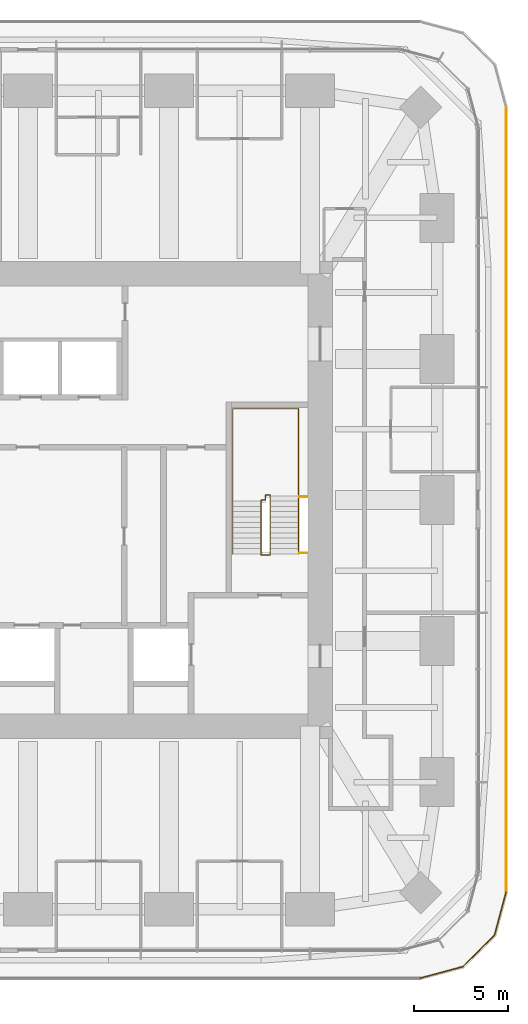
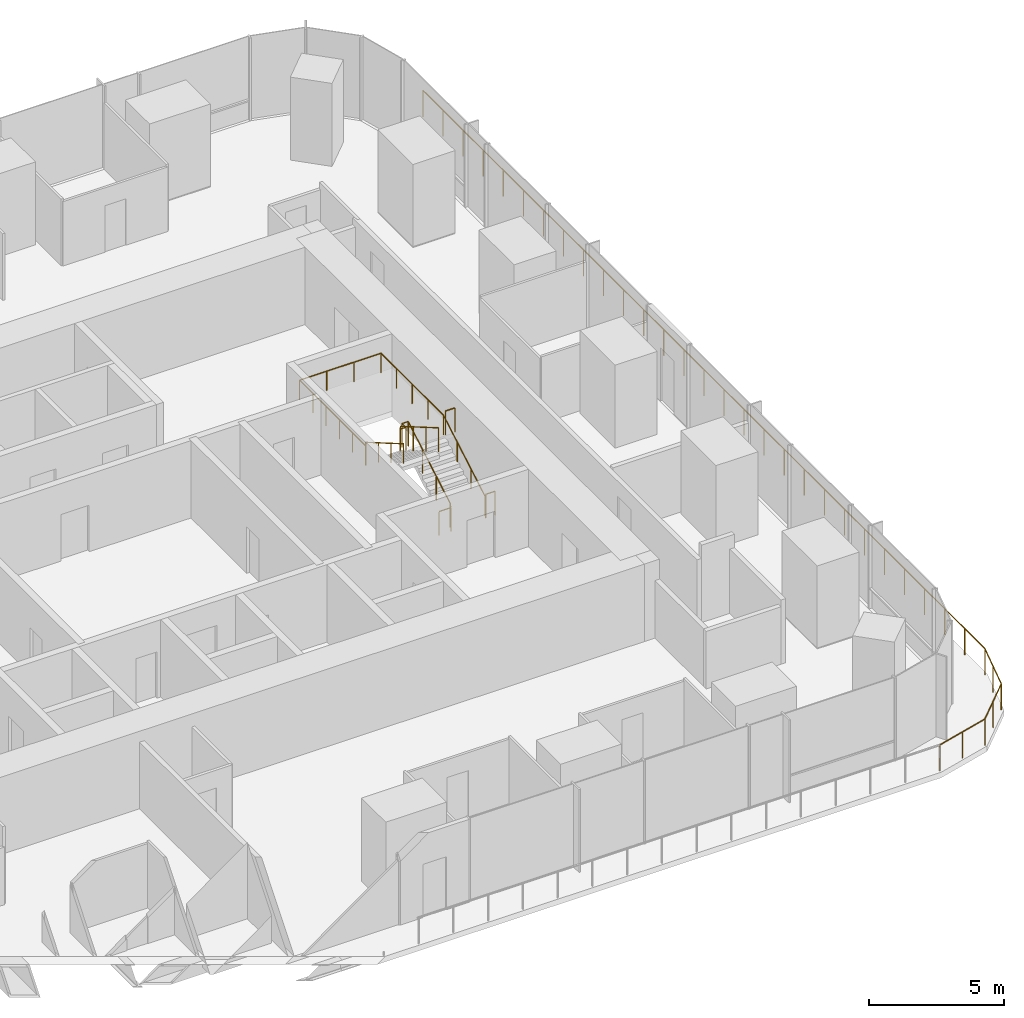
# One storey, part 14 of 15: 6 railings.
"""IFC4 building model written with IfcOpenShell, lengths in metres."""

from ifc_helpers import new_model, si_unit, direction, frame, origin, origin_2d, place, context, subcontext, project, spatial, circle, extrude, material, type_object, element, save


model = new_model("IFC4")

# Units and contexts
model_context = context("Model", 3, precision=1e-05, world=origin(), true_north=direction((0.0, 1.0)))
body_context = subcontext(model_context, "Body", "Model", "MODEL_VIEW")
ifc_project = project(units=[si_unit("LENGTHUNIT", "METRE"), si_unit("AREAUNIT", "SQUARE_METRE"), si_unit("VOLUMEUNIT", "CUBIC_METRE"), si_unit("PLANEANGLEUNIT", "RADIAN"), si_unit("MASSUNIT", "GRAM", prefix="KILO")], contexts=[model_context])

# Site, building, storey
site_placement = place(None, origin())
site = spatial("IfcSite", under=ifc_project, at=site_placement, CompositionType="ELEMENT")
building_placement = place(site_placement, origin())
building = spatial("IfcBuilding", under=site, at=building_placement, Name="Khuree Lantern Residences", CompositionType="ELEMENT")
storey_placement = place(building_placement, frame((0.0, 0.0, 285.75)))
storey = spatial("IfcBuildingStorey", under=building, at=storey_placement, Name="L71", CompositionType="ELEMENT", Elevation=285.75)

# Railings
ifc_material_1 = material(Name="Steel S355", Category="steel")
railing_type_1 = type_object("IfcRailingType", Name="STAIR GUARD G1 1100", PredefinedType="GUARDRAIL", material=ifc_material_1)
railing_1_placement = place(storey_placement, frame((12.35009765625, -2.909912109375, 0.0)))
element("IfcRailing", 1, at=railing_1_placement, inside=storey, type_object=railing_type_1, Name="Stair ST2 guard", PredefinedType="GUARDRAIL", context=body_context, shape_type="SweptSolid", body=[
    extrude(circle(Radius=0.02392578125, at=origin_2d()), frame((0.0, 0.0, 1.076171875), z_axis=(1.0, 0.0, 0.0), x_axis=(0.0, 1.0, 0.0)), (0.0, 0.0, 1.0), 0.5),
    extrude(circle(Radius=0.02392578125, at=origin_2d()), frame((0.5, 0.0, 1.076171875), z_axis=(0.0, 0.292073035251, 0.95639601739), x_axis=(-1.0, 0.0, 0.0)), (0.0, 0.0, 1.0), 0.17041015625),
    extrude(circle(Radius=0.02392578125, at=origin_2d()), frame((0.5, 0.0498046875, 1.2392578125), z_axis=(0.0, 0.864176135923, 0.503189433615), x_axis=(-1.0, 0.0, 0.0)), (0.0, 0.0, 1.0), 3.564208984375),
    extrude(circle(Radius=0.02392578125, at=origin_2d()), frame((0.5, 3.1298828125, 3.03271484375), z_axis=(0.0, 1.0, 0.0), x_axis=(-1.0, 0.0, 0.0)), (0.0, 0.0, 1.0), 0.050048828125),
    extrude(circle(Radius=0.02392578125, at=origin_2d()), frame((0.5, 3.179931640625, 3.03271484375), z_axis=(-1.0, 0.0, 0.0), x_axis=(0.0, -1.0, 0.0)), (0.0, 0.0, 1.0), 0.25),
    extrude(circle(Radius=0.02392578125, at=origin_2d()), frame((0.25, 3.179931640625, 3.03271484375), z_axis=(0.0, -1.0, 0.0), x_axis=(1.0, 0.0, 0.0)), (0.0, 0.0, 1.0), 0.280029296875),
    extrude(circle(Radius=0.02392578125, at=origin_2d()), frame((0.25, 2.89990234375, 3.03271484375), z_axis=(-1.0, 0.0, 0.0), x_axis=(0.0, -1.0, 0.0)), (0.0, 0.0, 1.0), 0.25),
    extrude(circle(Radius=0.02392578125, at=origin_2d()), frame((0.0, 2.89990234375, 3.03271484375), z_axis=(0.0, -0.293381807449, 0.955995353053), x_axis=(1.0, 0.0, 0.0)), (0.0, 0.0, 1.0), 0.170654296875),
    extrude(circle(Radius=0.02392578125, at=origin_2d()), frame((0.0, 2.849853515625, 3.19580078125), z_axis=(0.0, -0.864180358799, 0.503182181189), x_axis=(1.0, 0.0, 0.0)), (0.0, 0.0, 1.0), 3.240234375),
    extrude(circle(Radius=0.02099609375, at=origin_2d()), origin(), (0.0, 0.0, 1.0), 1.052001953125),
    extrude(circle(Radius=0.02099609375, at=origin_2d()), frame((0.5, 0.0, 0.0)), (0.0, 0.0, 1.0), 1.052001953125),
    extrude(circle(Radius=0.02099609375, at=origin_2d()), frame((0.5, 0.0498046875, 0.1630859375)), (0.0, 0.0, 1.0), 1.052001953125),
    extrude(circle(Radius=0.02099609375, at=origin_2d()), frame((0.5, 1.076416015625, 0.760986328125)), (0.0, 0.0, 1.0), 1.052001953125),
    extrude(circle(Radius=0.02099609375, at=origin_2d()), frame((0.5, 2.103271484375, 1.358642578125)), (0.0, 0.0, 1.0), 1.052001953125),
    extrude(circle(Radius=0.02099609375, at=origin_2d()), frame((0.5, 3.1298828125, 1.95654296875)), (0.0, 0.0, 1.0), 1.052001953125),
    extrude(circle(Radius=0.02099609375, at=origin_2d()), frame((0.5, 3.179931640625, 1.95654296875)), (0.0, 0.0, 1.0), 1.052001953125),
    extrude(circle(Radius=0.02099609375, at=origin_2d()), frame((0.25, 3.179931640625, 1.95654296875)), (0.0, 0.0, 1.0), 1.052001953125),
    extrude(circle(Radius=0.02099609375, at=origin_2d()), frame((0.25, 2.89990234375, 1.95654296875)), (0.0, 0.0, 1.0), 1.052001953125),
    extrude(circle(Radius=0.02099609375, at=origin_2d()), frame((0.0, 2.89990234375, 1.95654296875)), (0.0, 0.0, 1.0), 1.052001953125),
    extrude(circle(Radius=0.02099609375, at=origin_2d()), frame((0.0, 2.849853515625, 2.11962890625)), (0.0, 0.0, 1.0), 1.052001953125),
    extrude(circle(Radius=0.02099609375, at=origin_2d()), frame((0.0, 1.91650390625, 2.6630859375)), (0.0, 0.0, 1.0), 1.052001953125),
    extrude(circle(Radius=0.02099609375, at=origin_2d()), frame((0.0, 0.983154296875, 3.20654296875)), (0.0, 0.0, 1.0), 1.052001953125),
    extrude(circle(Radius=0.02099609375, at=origin_2d()), frame((0.0, 0.0498046875, 3.75)), (0.0, 0.0, 1.0), 1.052001953125),
])
for number, where, name in (
    (2, (14.800048828125, -2.81005859375, 0.0), "Stair ST2 landing slot guard"),
    (3, (14.800048828125, 0.169921875, 1.95654296875), "Stair ST2 landing slot guard"),
):
    element("IfcRailing", number, at=place(storey_placement, frame(where)), inside=storey, type_object=railing_type_1, Name=name, PredefinedType="GUARDRAIL", context=body_context, shape_type="SweptSolid", body=[
        extrude(circle(Radius=0.02392578125, at=origin_2d()), frame((0.0, 0.0, 1.076171875), z_axis=(-1.0, 0.0, 0.0), x_axis=(0.0, -1.0, 0.0)), (0.0, 0.0, 1.0), 0.400146484375),
        extrude(circle(Radius=0.02099609375, at=origin_2d()), origin(), (0.0, 0.0, 1.0), 1.052001953125),
        extrude(circle(Radius=0.02099609375, at=origin_2d()), frame((-0.400146484375, 0.0, 0.0)), (0.0, 0.0, 1.0), 1.052001953125),
    ])
railing_type_2 = type_object("IfcRailingType", Name="STAIR HANDRAIL H1 900", PredefinedType="HANDRAIL", material=ifc_material_1)
railing_2_placement = place(storey_placement, frame((14.340087890625, -2.860107421875, 0.1630859375)))
element("IfcRailing", 4, at=railing_2_placement, inside=storey, type_object=railing_type_2, Name="Stair ST2 handrail", PredefinedType="HANDRAIL", context=body_context, shape_type="SweptSolid", body=[
    extrude(circle(Radius=0.02392578125, at=origin_2d()), frame((0.0, 0.0, 0.8759765625), z_axis=(0.0, 0.864176135923, 0.503189433615), x_axis=(-1.0, 0.0, 0.0)), (0.0, 0.0, 1.0), 3.564208984375),
    extrude(circle(Radius=0.02392578125, at=origin_2d()), frame((0.0, 3.080078125, 2.66943359375), z_axis=(0.0, 1.0, 0.0), x_axis=(-1.0, 0.0, 0.0)), (0.0, 0.0, 1.0), 4.6201171875),
    extrude(circle(Radius=0.02392578125, at=origin_2d()), frame((0.0, 7.7001953125, 2.66943359375), z_axis=(-1.0, 0.0, 0.0), x_axis=(0.0, -1.0, 0.0)), (0.0, 0.0, 1.0), 3.47998046875),
    extrude(circle(Radius=0.02392578125, at=origin_2d()), frame((-3.47998046875, 7.7001953125, 2.66943359375), z_axis=(0.0, -1.0, 0.0), x_axis=(1.0, 0.0, 0.0)), (0.0, 0.0, 1.0), 4.900146484375),
    extrude(circle(Radius=0.02392578125, at=origin_2d()), frame((-3.47998046875, 2.800048828125, 2.66943359375), z_axis=(0.0, 0.0, 1.0), x_axis=(1.0, 0.0, 0.0)), (0.0, 0.0, 1.0), 0.1630859375),
    extrude(circle(Radius=0.02392578125, at=origin_2d()), frame((-3.47998046875, 2.800048828125, 2.83251953125), z_axis=(0.0, -0.864180358799, 0.503182181189), x_axis=(1.0, 0.0, 0.0)), (0.0, 0.0, 1.0), 3.240234375),
    extrude(circle(Radius=0.02099609375, at=origin_2d()), origin(), (0.0, 0.0, 1.0), 0.851806640625),
    extrude(circle(Radius=0.02099609375, at=origin_2d()), frame((0.0, 1.026611328125, 0.597900390625)), (0.0, 0.0, 1.0), 0.851806640625),
    extrude(circle(Radius=0.02099609375, at=origin_2d()), frame((0.0, 2.053466796875, 1.195556640625)), (0.0, 0.0, 1.0), 0.851806640625),
    extrude(circle(Radius=0.02099609375, at=origin_2d()), frame((0.0, 3.080078125, 1.79345703125)), (0.0, 0.0, 1.0), 0.851806640625),
    extrude(circle(Radius=0.02099609375, at=origin_2d()), frame((0.0, 4.235107421875, 1.79345703125)), (0.0, 0.0, 1.0), 0.851806640625),
    extrude(circle(Radius=0.02099609375, at=origin_2d()), frame((0.0, 5.39013671875, 1.79345703125)), (0.0, 0.0, 1.0), 0.851806640625),
    extrude(circle(Radius=0.02099609375, at=origin_2d()), frame((0.0, 6.545166015625, 1.79345703125)), (0.0, 0.0, 1.0), 0.851806640625),
    extrude(circle(Radius=0.02099609375, at=origin_2d()), frame((0.0, 7.7001953125, 1.79345703125)), (0.0, 0.0, 1.0), 0.851806640625),
    extrude(circle(Radius=0.02099609375, at=origin_2d()), frame((-1.159912109375, 7.7001953125, 1.79345703125)), (0.0, 0.0, 1.0), 0.851806640625),
    extrude(circle(Radius=0.02099609375, at=origin_2d()), frame((-2.320068359375, 7.7001953125, 1.79345703125)), (0.0, 0.0, 1.0), 0.851806640625),
    extrude(circle(Radius=0.02099609375, at=origin_2d()), frame((-3.47998046875, 7.7001953125, 1.79345703125)), (0.0, 0.0, 1.0), 0.851806640625),
    extrude(circle(Radius=0.02099609375, at=origin_2d()), frame((-3.47998046875, 6.72021484375, 1.79345703125)), (0.0, 0.0, 1.0), 0.851806640625),
    extrude(circle(Radius=0.02099609375, at=origin_2d()), frame((-3.47998046875, 5.740234375, 1.79345703125)), (0.0, 0.0, 1.0), 0.851806640625),
    extrude(circle(Radius=0.02099609375, at=origin_2d()), frame((-3.47998046875, 4.760009765625, 1.79345703125)), (0.0, 0.0, 1.0), 0.851806640625),
    extrude(circle(Radius=0.02099609375, at=origin_2d()), frame((-3.47998046875, 3.780029296875, 1.79345703125)), (0.0, 0.0, 1.0), 0.851806640625),
    extrude(circle(Radius=0.02099609375, at=origin_2d()), frame((-3.47998046875, 2.800048828125, 1.79345703125)), (0.0, 0.0, 1.0), 0.851806640625),
    extrude(circle(Radius=0.02099609375, at=origin_2d()), frame((-3.47998046875, 2.800048828125, 1.95654296875)), (0.0, 0.0, 1.0), 0.851806640625),
    extrude(circle(Radius=0.02099609375, at=origin_2d()), frame((-3.47998046875, 1.86669921875, 2.5)), (0.0, 0.0, 1.0), 0.851806640625),
    extrude(circle(Radius=0.02099609375, at=origin_2d()), frame((-3.47998046875, 0.933349609375, 3.04345703125)), (0.0, 0.0, 1.0), 0.851806640625),
    extrude(circle(Radius=0.02099609375, at=origin_2d()), frame((-3.47998046875, 0.0, 3.5869140625)), (0.0, 0.0, 1.0), 0.851806640625),
])
ifc_material_2 = material(Name="Toughened laminated glass balustrade with bronze anodised aluminium top rail", Category="aluminium")
railing_type_3 = type_object("IfcRailingType", Name="TERRACE GUARD G1 1200", PredefinedType="GUARDRAIL", material=ifc_material_2)
railing_3_placement = place(storey_placement, frame((20.800048828125, -25.35009765625, 0.0)))
element("IfcRailing", 5, at=railing_3_placement, inside=storey, type_object=railing_type_3, Name="L71 SOUTH-EAST CORNER TERRACE GUARD", PredefinedType="GUARDRAIL", context=body_context, shape_type="SweptSolid", body=[
    extrude(circle(Radius=0.02392578125, at=origin_2d()), frame((0.0, 0.0, 1.17626953125), z_axis=(0.965919362037, 0.258843168814, 0.0), x_axis=(-0.258843168814, 0.965919362037, 0.0)), (0.0, 0.0, 1.0), 2.355224609375),
    extrude(circle(Radius=0.02392578125, at=origin_2d()), frame((2.27490234375, 0.609619140625, 1.17626953125), z_axis=(0.707106781187, 0.707106781187, 0.0), x_axis=(-0.707106781187, 0.707106781187, 0.0)), (0.0, 0.0, 1.0), 2.35546875),
    extrude(circle(Radius=0.02392578125, at=origin_2d()), frame((3.9404296875, 2.275146484375, 1.17626953125), z_axis=(0.258843168814, 0.965919362037, 0.0), x_axis=(-0.965919362037, 0.258843168814, 0.0)), (0.0, 0.0, 1.0), 2.355224609375),
    extrude(circle(Radius=0.02099609375, at=origin_2d()), origin(), (0.0, 0.0, 1.0), 1.152099609375),
    extrude(circle(Radius=0.02099609375, at=origin_2d()), frame((1.137451171875, 0.3046875, 0.0)), (0.0, 0.0, 1.0), 1.152099609375),
    extrude(circle(Radius=0.02099609375, at=origin_2d()), frame((2.27490234375, 0.609619140625, 0.0)), (0.0, 0.0, 1.0), 1.152099609375),
    extrude(circle(Radius=0.02099609375, at=origin_2d()), frame((3.107666015625, 1.4423828125, 0.0)), (0.0, 0.0, 1.0), 1.152099609375),
    extrude(circle(Radius=0.02099609375, at=origin_2d()), frame((3.9404296875, 2.275146484375, 0.0)), (0.0, 0.0, 1.0), 1.152099609375),
    extrude(circle(Radius=0.02099609375, at=origin_2d()), frame((4.2451171875, 3.41259765625, 0.0)), (0.0, 0.0, 1.0), 1.152099609375),
    extrude(circle(Radius=0.02099609375, at=origin_2d()), frame((4.550048828125, 4.550048828125, 0.0)), (0.0, 0.0, 1.0), 1.152099609375),
])
railing_4_placement = place(storey_placement, frame((25.35009765625, -20.800048828125, 0.0)))
element("IfcRailing", 6, at=railing_4_placement, inside=storey, type_object=railing_type_3, Name="L71 EAST FACE TERRACE GUARD", PredefinedType="GUARDRAIL", context=body_context, shape_type="SweptSolid", body=[
    extrude(circle(Radius=0.02392578125, at=origin_2d()), frame((0.0, 0.0, 1.17626953125), z_axis=(0.0, 1.0, 0.0), x_axis=(-1.0, 0.0, 0.0)), (0.0, 0.0, 1.0), 41.60009765625),
    extrude(circle(Radius=0.02099609375, at=origin_2d()), origin(), (0.0, 0.0, 1.0), 1.152099609375),
    extrude(circle(Radius=0.02099609375, at=origin_2d()), frame((0.0, 1.48583984375, 0.0)), (0.0, 0.0, 1.0), 1.152099609375),
    extrude(circle(Radius=0.02099609375, at=origin_2d()), frame((0.0, 2.971435546875, 0.0)), (0.0, 0.0, 1.0), 1.152099609375),
    extrude(circle(Radius=0.02099609375, at=origin_2d()), frame((0.0, 4.45703125, 0.0)), (0.0, 0.0, 1.0), 1.152099609375),
    extrude(circle(Radius=0.02099609375, at=origin_2d()), frame((0.0, 5.94287109375, 0.0)), (0.0, 0.0, 1.0), 1.152099609375),
    extrude(circle(Radius=0.02099609375, at=origin_2d()), frame((0.0, 7.4287109375, 0.0)), (0.0, 0.0, 1.0), 1.152099609375),
    extrude(circle(Radius=0.02099609375, at=origin_2d()), frame((0.0, 8.914306640625, 0.0)), (0.0, 0.0, 1.0), 1.152099609375),
    extrude(circle(Radius=0.02099609375, at=origin_2d()), frame((0.0, 10.39990234375, 0.0)), (0.0, 0.0, 1.0), 1.152099609375),
    extrude(circle(Radius=0.02099609375, at=origin_2d()), frame((0.0, 11.8857421875, 0.0)), (0.0, 0.0, 1.0), 1.152099609375),
    extrude(circle(Radius=0.02099609375, at=origin_2d()), frame((0.0, 13.37158203125, 0.0)), (0.0, 0.0, 1.0), 1.152099609375),
    extrude(circle(Radius=0.02099609375, at=origin_2d()), frame((0.0, 14.857177734375, 0.0)), (0.0, 0.0, 1.0), 1.152099609375),
    extrude(circle(Radius=0.02099609375, at=origin_2d()), frame((0.0, 16.3427734375, 0.0)), (0.0, 0.0, 1.0), 1.152099609375),
    extrude(circle(Radius=0.02099609375, at=origin_2d()), frame((0.0, 17.82861328125, 0.0)), (0.0, 0.0, 1.0), 1.152099609375),
    extrude(circle(Radius=0.02099609375, at=origin_2d()), frame((0.0, 19.314453125, 0.0)), (0.0, 0.0, 1.0), 1.152099609375),
    extrude(circle(Radius=0.02099609375, at=origin_2d()), frame((0.0, 20.800048828125, 0.0)), (0.0, 0.0, 1.0), 1.152099609375),
    extrude(circle(Radius=0.02099609375, at=origin_2d()), frame((0.0, 22.28564453125, 0.0)), (0.0, 0.0, 1.0), 1.152099609375),
    extrude(circle(Radius=0.02099609375, at=origin_2d()), frame((0.0, 23.771484375, 0.0)), (0.0, 0.0, 1.0), 1.152099609375),
    extrude(circle(Radius=0.02099609375, at=origin_2d()), frame((0.0, 25.257080078125, 0.0)), (0.0, 0.0, 1.0), 1.152099609375),
    extrude(circle(Radius=0.02099609375, at=origin_2d()), frame((0.0, 26.742919921875, 0.0)), (0.0, 0.0, 1.0), 1.152099609375),
    extrude(circle(Radius=0.02099609375, at=origin_2d()), frame((0.0, 28.228515625, 0.0)), (0.0, 0.0, 1.0), 1.152099609375),
    extrude(circle(Radius=0.02099609375, at=origin_2d()), frame((0.0, 29.71435546875, 0.0)), (0.0, 0.0, 1.0), 1.152099609375),
    extrude(circle(Radius=0.02099609375, at=origin_2d()), frame((0.0, 31.2001953125, 0.0)), (0.0, 0.0, 1.0), 1.152099609375),
    extrude(circle(Radius=0.02099609375, at=origin_2d()), frame((0.0, 32.685791015625, 0.0)), (0.0, 0.0, 1.0), 1.152099609375),
    extrude(circle(Radius=0.02099609375, at=origin_2d()), frame((0.0, 34.17138671875, 0.0)), (0.0, 0.0, 1.0), 1.152099609375),
    extrude(circle(Radius=0.02099609375, at=origin_2d()), frame((0.0, 35.6572265625, 0.0)), (0.0, 0.0, 1.0), 1.152099609375),
    extrude(circle(Radius=0.02099609375, at=origin_2d()), frame((0.0, 37.14306640625, 0.0)), (0.0, 0.0, 1.0), 1.152099609375),
    extrude(circle(Radius=0.02099609375, at=origin_2d()), frame((0.0, 38.628662109375, 0.0)), (0.0, 0.0, 1.0), 1.152099609375),
    extrude(circle(Radius=0.02099609375, at=origin_2d()), frame((0.0, 40.1142578125, 0.0)), (0.0, 0.0, 1.0), 1.152099609375),
    extrude(circle(Radius=0.02099609375, at=origin_2d()), frame((0.0, 41.60009765625, 0.0)), (0.0, 0.0, 1.0), 1.152099609375),
])

save(model, "model.ifc")
